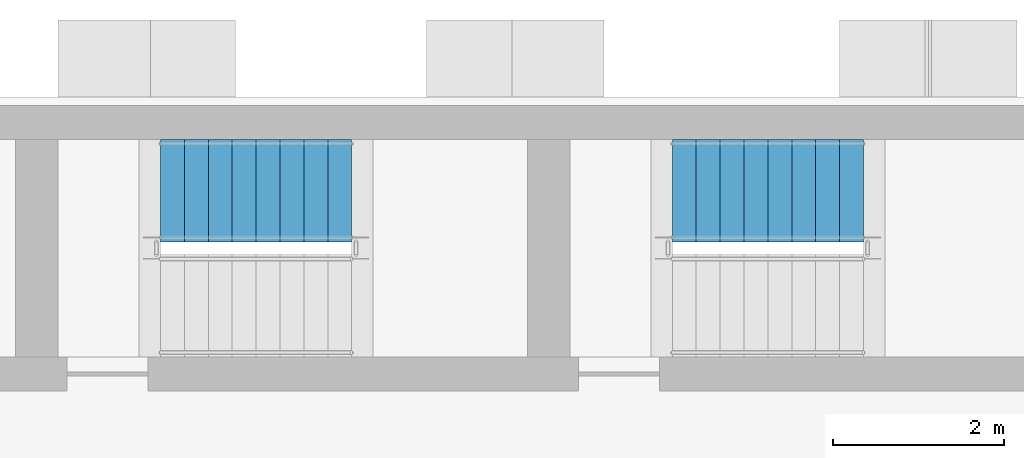
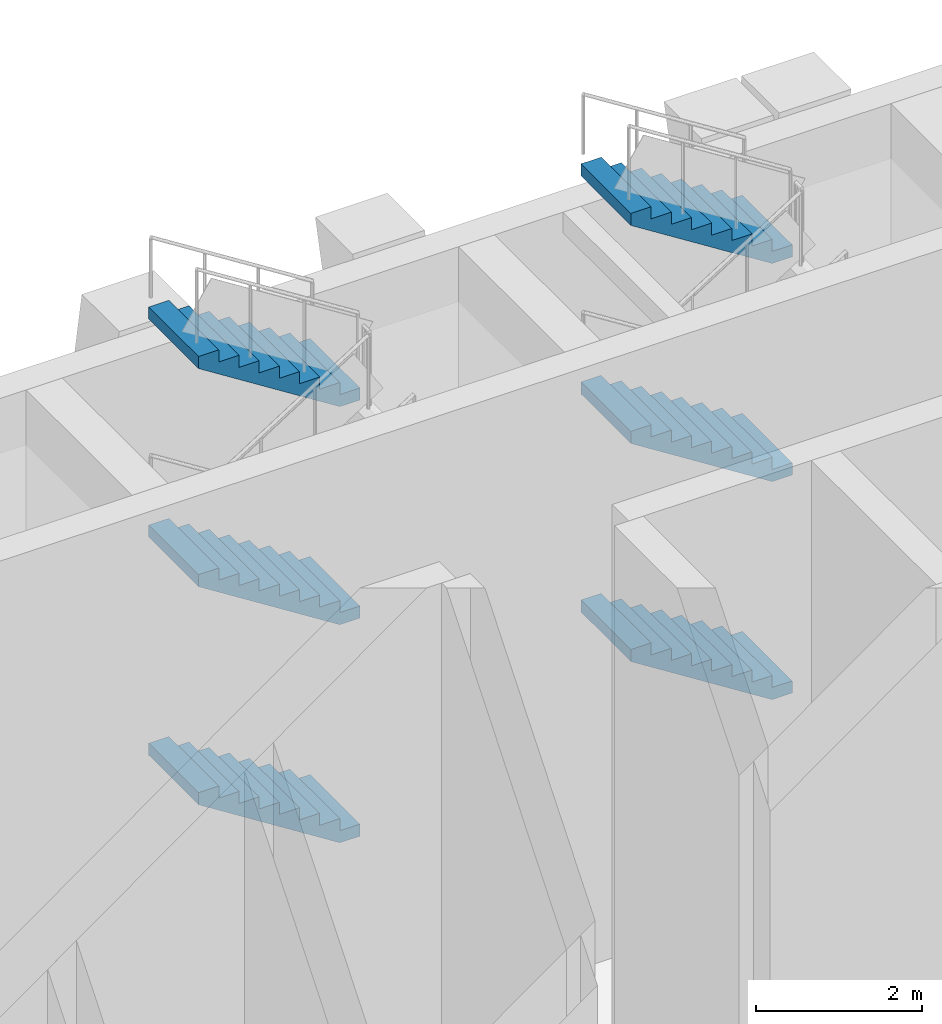
# One storey, part 5 of 9: 6 stair flights, 2 elements without a shape of their own.
"""IFC4 building model written with IfcOpenShell, lengths in metres."""

from ifc_helpers import new_model, si_unit, direction, frame, origin, place, context, subcontext, project, spatial, polyline, outline, extrude, material, type_object, element, aggregate, save


model = new_model("IFC4")

# Units and contexts
model_context = context("Model", 3, precision=1e-05, world=origin(), true_north=direction((0.0, 1.0)))
body_context = subcontext(model_context, "Body", "Model", "MODEL_VIEW")
ifc_project = project(units=[si_unit("LENGTHUNIT", "METRE"), si_unit("AREAUNIT", "SQUARE_METRE"), si_unit("VOLUMEUNIT", "CUBIC_METRE"), si_unit("PLANEANGLEUNIT", "RADIAN"), si_unit("MASSUNIT", "GRAM", prefix="KILO")], contexts=[model_context])

# Site, building, storey
site_placement = place(None, origin())
site = spatial("IfcSite", under=ifc_project, at=site_placement, CompositionType="ELEMENT")
building_placement = place(site_placement, origin())
building = spatial("IfcBuilding", under=site, at=building_placement, Name="Vidyagriha Tower", CompositionType="ELEMENT")
storey_placement = place(building_placement, frame((0.0, 0.0, 194.10009765625)))
storey = spatial("IfcBuildingStorey", under=building, at=storey_placement, Name="L51", CompositionType="ELEMENT", Elevation=194.10009765625)

# Stair, stair flights
ifc_material_1 = material(Name="Concrete C40/50", Category="concrete")
stair_type = type_object("IfcStairType", Name="Exit stair, half-turn, precast flights", PredefinedType="HALF_TURN_STAIR", material=ifc_material_1)
stair_1_placement = place(storey_placement, origin())
stair_1 = element("IfcStair", 1, at=stair_1_placement, inside=storey, type_object=stair_type, Name="L51 Exit Stair ST2", PredefinedType="HALF_TURN_STAIR")
ifc_material_2 = material(Name="Precast concrete C40/50", Category="concrete")
stair_flight_type = type_object("IfcStairFlightType", Name="Exit stair flight 1200 mm, precast", PredefinedType="STRAIGHT", material=ifc_material_2)
stair_flight_1_placement = place(storey_placement, frame((0.239990234375, 18.89990234375, 1.599853515625), z_axis=(0.0, 0.0, 1.0), x_axis=(-1.0, 0.0, 0.0)))
stair_flight_1 = element("IfcStairFlight", 2, at=stair_flight_1_placement, type_object=stair_flight_type, Name="ST2 flight 2", NumberOfRisers=9, NumberOfTreads=8, PredefinedType="STRAIGHT", RiserHeight=0.177777778, TreadLength=0.28, context=body_context, shape_type="SweptSolid", body=[
    extrude(outline(polyline([(0.0, 0.0), (0.0, 0.177734375), (0.280029296875, 0.177734375), (0.280029296875, 0.35546875), (0.56005859375, 0.35546875), (0.56005859375, 0.533447265625), (0.840087890625, 0.533447265625), (0.840087890625, 0.711181640625), (1.1201171875, 0.711181640625), (1.1201171875, 0.888916015625), (1.39990234375, 0.888916015625), (1.39990234375, 1.066650390625), (1.679931640625, 1.066650390625), (1.679931640625, 1.244384765625), (1.9599609375, 1.244384765625), (1.9599609375, 1.422119140625), (2.239990234375, 1.422119140625), (2.239990234375, 1.60009765625), (2.239990234375, 1.24462890625), (0.27978515625, 0.0), (0.0, 0.0)])), frame((0.0, 0.60009765625, 0.0), z_axis=(0.0, -1.0, 0.0), x_axis=(1.0, 0.0, 0.0)), (0.0, 0.0, 1.0), 1.199951171875),
])
stair_flight_2_placement = place(storey_placement, frame((0.239990234375, 18.89990234375, 4.7998046875), z_axis=(0.0, 0.0, 1.0), x_axis=(-1.0, 0.0, 0.0)))
stair_flight_2 = element("IfcStairFlight", 3, at=stair_flight_2_placement, type_object=stair_flight_type, Name="ST2 flight 4", NumberOfRisers=9, NumberOfTreads=8, PredefinedType="STRAIGHT", RiserHeight=0.177777778, TreadLength=0.28, context=body_context, shape_type="SweptSolid", body=[
    extrude(outline(polyline([(0.0, 0.0), (0.0, 0.177734375), (0.280029296875, 0.177734375), (0.280029296875, 0.35546875), (0.56005859375, 0.35546875), (0.56005859375, 0.533447265625), (0.840087890625, 0.533447265625), (0.840087890625, 0.711181640625), (1.1201171875, 0.711181640625), (1.1201171875, 0.888916015625), (1.39990234375, 0.888916015625), (1.39990234375, 1.066650390625), (1.679931640625, 1.066650390625), (1.679931640625, 1.244384765625), (1.9599609375, 1.244384765625), (1.9599609375, 1.422119140625), (2.239990234375, 1.422119140625), (2.239990234375, 1.60009765625), (2.239990234375, 1.24462890625), (0.27978515625, 0.0), (0.0, 0.0)])), frame((0.0, 0.60009765625, 0.0), z_axis=(0.0, -1.0, 0.0), x_axis=(1.0, 0.0, 0.0)), (0.0, 0.0, 1.0), 1.199951171875),
])
stair_flight_3_placement = place(storey_placement, frame((0.239990234375, 18.89990234375, 8.0), z_axis=(0.0, 0.0, 1.0), x_axis=(-1.0, 0.0, 0.0)))
stair_flight_3 = element("IfcStairFlight", 4, at=stair_flight_3_placement, type_object=stair_flight_type, Name="ST2 flight 6", NumberOfRisers=9, NumberOfTreads=8, PredefinedType="STRAIGHT", RiserHeight=0.177777778, TreadLength=0.28, context=body_context, shape_type="SweptSolid", body=[
    extrude(outline(polyline([(0.0, 0.0), (0.0, 0.177734375), (0.280029296875, 0.177734375), (0.280029296875, 0.35546875), (0.56005859375, 0.35546875), (0.56005859375, 0.533447265625), (0.840087890625, 0.533447265625), (0.840087890625, 0.711181640625), (1.1201171875, 0.711181640625), (1.1201171875, 0.888916015625), (1.39990234375, 0.888916015625), (1.39990234375, 1.066650390625), (1.679931640625, 1.066650390625), (1.679931640625, 1.244384765625), (1.9599609375, 1.244384765625), (1.9599609375, 1.422119140625), (2.239990234375, 1.422119140625), (2.239990234375, 1.60009765625), (2.239990234375, 1.24462890625), (0.27978515625, 0.0), (0.0, 0.0)])), frame((0.0, 0.60009765625, 0.0), z_axis=(0.0, -1.0, 0.0), x_axis=(1.0, 0.0, 0.0)), (0.0, 0.0, 1.0), 1.199951171875),
])
aggregate(stair_1, [stair_flight_1, stair_flight_2, stair_flight_3])

stair_2_placement = place(storey_placement, origin())
stair_2 = element("IfcStair", 5, at=stair_2_placement, inside=storey, type_object=stair_type, Name="L51 Exit Stair ST3", PredefinedType="HALF_TURN_STAIR")
stair_flight_4_placement = place(storey_placement, frame((6.239990234375, 18.89990234375, 1.599853515625), z_axis=(0.0, 0.0, 1.0), x_axis=(-1.0, 0.0, 0.0)))
stair_flight_4 = element("IfcStairFlight", 6, at=stair_flight_4_placement, type_object=stair_flight_type, Name="ST3 flight 2", NumberOfRisers=9, NumberOfTreads=8, PredefinedType="STRAIGHT", RiserHeight=0.177777778, TreadLength=0.28, context=body_context, shape_type="SweptSolid", body=[
    extrude(outline(polyline([(0.0, 0.0), (0.0, 0.177734375), (0.280029296875, 0.177734375), (0.280029296875, 0.35546875), (0.56005859375, 0.35546875), (0.56005859375, 0.533447265625), (0.840087890625, 0.533447265625), (0.840087890625, 0.711181640625), (1.1201171875, 0.711181640625), (1.1201171875, 0.888916015625), (1.39990234375, 0.888916015625), (1.39990234375, 1.066650390625), (1.679931640625, 1.066650390625), (1.679931640625, 1.244384765625), (1.9599609375, 1.244384765625), (1.9599609375, 1.422119140625), (2.239990234375, 1.422119140625), (2.239990234375, 1.60009765625), (2.239990234375, 1.24462890625), (0.27978515625, 0.0), (0.0, 0.0)])), frame((0.0, 0.60009765625, 0.0), z_axis=(0.0, -1.0, 0.0), x_axis=(1.0, 0.0, 0.0)), (0.0, 0.0, 1.0), 1.199951171875),
])
stair_flight_5_placement = place(storey_placement, frame((6.239990234375, 18.89990234375, 4.7998046875), z_axis=(0.0, 0.0, 1.0), x_axis=(-1.0, 0.0, 0.0)))
stair_flight_5 = element("IfcStairFlight", 7, at=stair_flight_5_placement, type_object=stair_flight_type, Name="ST3 flight 4", NumberOfRisers=9, NumberOfTreads=8, PredefinedType="STRAIGHT", RiserHeight=0.177777778, TreadLength=0.28, context=body_context, shape_type="SweptSolid", body=[
    extrude(outline(polyline([(0.0, 0.0), (0.0, 0.177734375), (0.280029296875, 0.177734375), (0.280029296875, 0.35546875), (0.56005859375, 0.35546875), (0.56005859375, 0.533447265625), (0.840087890625, 0.533447265625), (0.840087890625, 0.711181640625), (1.1201171875, 0.711181640625), (1.1201171875, 0.888916015625), (1.39990234375, 0.888916015625), (1.39990234375, 1.066650390625), (1.679931640625, 1.066650390625), (1.679931640625, 1.244384765625), (1.9599609375, 1.244384765625), (1.9599609375, 1.422119140625), (2.239990234375, 1.422119140625), (2.239990234375, 1.60009765625), (2.239990234375, 1.24462890625), (0.27978515625, 0.0), (0.0, 0.0)])), frame((0.0, 0.60009765625, 0.0), z_axis=(0.0, -1.0, 0.0), x_axis=(1.0, 0.0, 0.0)), (0.0, 0.0, 1.0), 1.199951171875),
])
stair_flight_6_placement = place(storey_placement, frame((6.239990234375, 18.89990234375, 8.0), z_axis=(0.0, 0.0, 1.0), x_axis=(-1.0, 0.0, 0.0)))
stair_flight_6 = element("IfcStairFlight", 8, at=stair_flight_6_placement, type_object=stair_flight_type, Name="ST3 flight 6", NumberOfRisers=9, NumberOfTreads=8, PredefinedType="STRAIGHT", RiserHeight=0.177777778, TreadLength=0.28, context=body_context, shape_type="SweptSolid", body=[
    extrude(outline(polyline([(0.0, 0.0), (0.0, 0.177734375), (0.280029296875, 0.177734375), (0.280029296875, 0.35546875), (0.56005859375, 0.35546875), (0.56005859375, 0.533447265625), (0.840087890625, 0.533447265625), (0.840087890625, 0.711181640625), (1.1201171875, 0.711181640625), (1.1201171875, 0.888916015625), (1.39990234375, 0.888916015625), (1.39990234375, 1.066650390625), (1.679931640625, 1.066650390625), (1.679931640625, 1.244384765625), (1.9599609375, 1.244384765625), (1.9599609375, 1.422119140625), (2.239990234375, 1.422119140625), (2.239990234375, 1.60009765625), (2.239990234375, 1.24462890625), (0.27978515625, 0.0), (0.0, 0.0)])), frame((0.0, 0.60009765625, 0.0), z_axis=(0.0, -1.0, 0.0), x_axis=(1.0, 0.0, 0.0)), (0.0, 0.0, 1.0), 1.199951171875),
])
aggregate(stair_2, [stair_flight_4, stair_flight_5, stair_flight_6])

save(model, "model.ifc")
